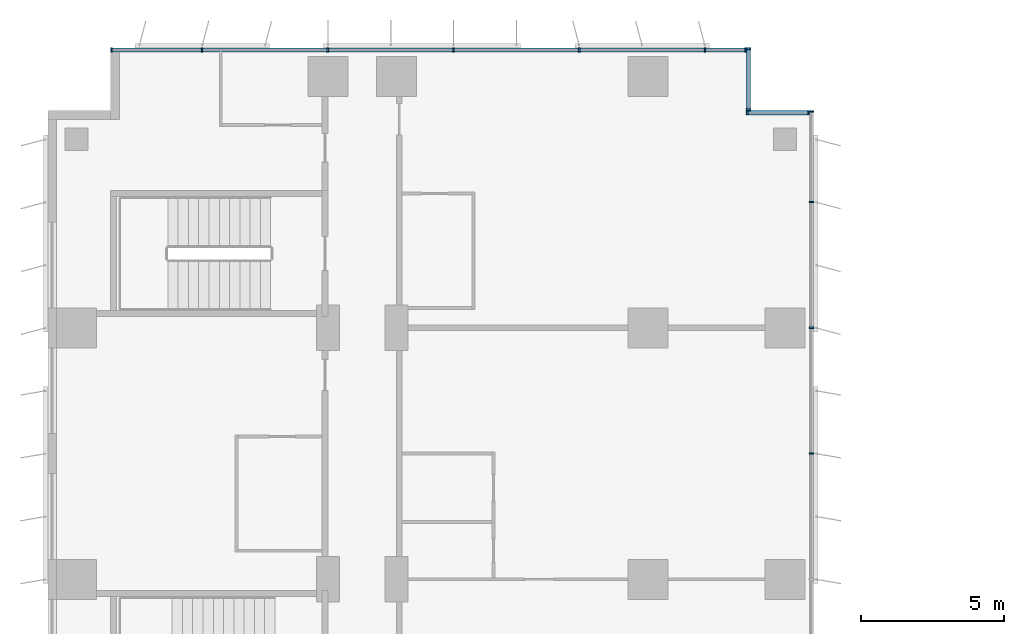
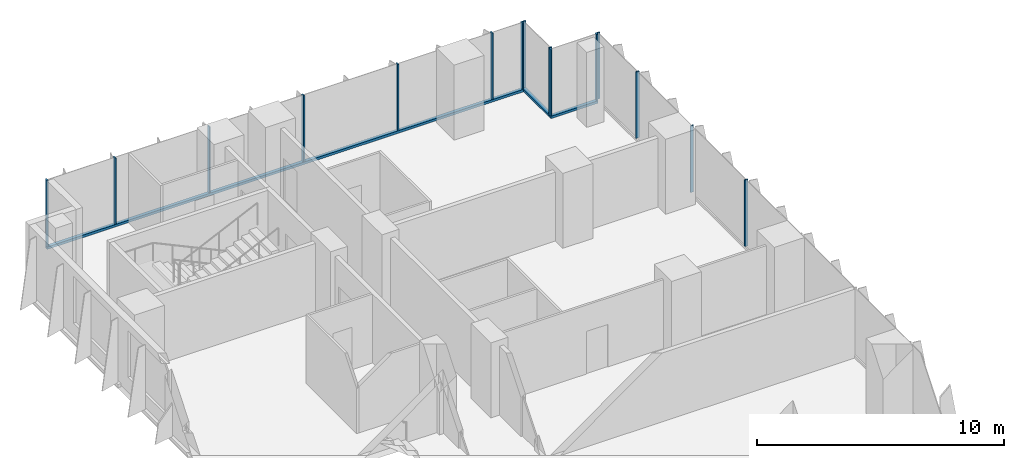
# One storey, part 9 of 24: 18 members, 4 elements without a shape of their own.
"""IFC4 building model written with IfcOpenShell, lengths in metres."""

from ifc_helpers import new_model, si_unit, direction, frame, origin, origin_2d, place, context, subcontext, project, spatial, rectangle, extrude, source, transform, mapped, material, material_profile, profile_set, type_object, element, aggregate, save


model = new_model("IFC4")

# Units and contexts
model_context = context("Model", 3, precision=1e-05, world=origin(), true_north=direction((0.0, 1.0)))
body_context = subcontext(model_context, "Body", "Model", "MODEL_VIEW")
ifc_project = project(units=[si_unit("LENGTHUNIT", "METRE"), si_unit("AREAUNIT", "SQUARE_METRE"), si_unit("VOLUMEUNIT", "CUBIC_METRE"), si_unit("PLANEANGLEUNIT", "RADIAN"), si_unit("MASSUNIT", "GRAM", prefix="KILO")], contexts=[model_context])

# Site, building, storey
site_placement = place(None, origin())
site = spatial("IfcSite", under=ifc_project, at=site_placement, CompositionType="ELEMENT")
building_placement = place(site_placement, origin())
building = spatial("IfcBuilding", under=site, at=building_placement, Name="Kemantara Hotel Tower", CompositionType="ELEMENT")
storey_placement = place(building_placement, frame((0.0, 0.0, 41.39990234375)))
storey = spatial("IfcBuildingStorey", under=building, at=storey_placement, Name="L08", CompositionType="ELEMENT", Elevation=41.39990234375)

# Curtain wall, member
ifc_material_1 = material(Name="Low-E tinted double insulated glass 36 mm", Category="glass")
curtain_wall_type = type_object("IfcCurtainWallType", Name="TOWER CURTAIN WALL, FRONT FACES", PredefinedType="USERDEFINED", material=ifc_material_1)
curtain_wall_1_placement = place(storey_placement, origin())
curtain_wall_1 = element("IfcCurtainWall", 1, at=curtain_wall_1_placement, inside=storey, type_object=curtain_wall_type, Name="CW4 L08 T1-R11-1", ObjectType="TOWER CURTAIN WALL, FRONT FACES", PredefinedType="USERDEFINED")
ifc_material_2 = material(Name="Aluminium 6063-T6 bronze anodised", Category="aluminium")
ifc_material_profile_1 = material_profile(ifc_material_2, rectangle(XDim=0.14990234375, YDim=0.1201171875, at=origin_2d()), Name="TOWER CURTAIN WALL, FRONT FACES TRANSOM")
ifc_profile_set_1 = profile_set([ifc_material_profile_1], Name="Aluminium 6063-T6 bronze anodised")
member_type_1 = type_object("IfcMemberType", Name="TOWER CURTAIN WALL, FRONT FACES TRANSOM", PredefinedType="USERDEFINED", material=ifc_profile_set_1)
member_1_placement = place(storey_placement, frame((24.449951171875, 81.125, 0.06005859375), z_axis=(-1.0, 0.0, 0.0), x_axis=(0.0, -1.0, 0.0)))
member_1 = element("IfcMember", 2, at=member_1_placement, type_object=member_type_1, Name="CW4 sill transom T1-R11-1", ObjectType="TRANSOM", PredefinedType="USERDEFINED", context=body_context, shape_type="SweptSolid", body=[
    extrude(rectangle(XDim=0.14990234375, YDim=0.1201171875, at=origin_2d()), origin(), (0.0, 0.0, 1.0), 22.25),
])

curtain_wall_2_placement = place(storey_placement, origin())
curtain_wall_2 = element("IfcCurtainWall", 3, at=curtain_wall_2_placement, inside=storey, type_object=curtain_wall_type, Name="CW4 L08 T1-R09-1", ObjectType="TOWER CURTAIN WALL, FRONT FACES", PredefinedType="USERDEFINED")
member_2_placement = place(storey_placement, frame((26.64990234375, 78.925048828125, 0.06005859375), z_axis=(-1.0, 0.0, 0.0), x_axis=(0.0, -1.0, 0.0)))
member_2 = element("IfcMember", 4, at=member_2_placement, type_object=member_type_1, Name="CW4 sill transom T1-R09-1", ObjectType="TRANSOM", PredefinedType="USERDEFINED", context=body_context, shape_type="SweptSolid", body=[
    extrude(rectangle(XDim=0.14990234375, YDim=0.1201171875, at=origin_2d()), origin(), (0.0, 0.0, 1.0), 2.199951171875),
])

curtain_wall_3_placement = place(storey_placement, origin())
curtain_wall_3 = element("IfcCurtainWall", 5, at=curtain_wall_3_placement, inside=storey, type_object=curtain_wall_type, Name="CW4 L08 T1-R10-1", ObjectType="TOWER CURTAIN WALL, FRONT FACES", PredefinedType="USERDEFINED")
member_3_placement = place(storey_placement, frame((24.52490234375, 79.0, 0.06005859375), z_axis=(0.0, 1.0, 0.0), x_axis=(-1.0, 0.0, 0.0)))
member_3 = element("IfcMember", 6, at=member_3_placement, type_object=member_type_1, Name="CW4 sill transom T1-R10-1", ObjectType="TRANSOM", PredefinedType="USERDEFINED", context=body_context, shape_type="SweptSolid", body=[
    extrude(rectangle(XDim=0.14990234375, YDim=0.1201171875, at=origin_2d()), origin(), (0.0, 0.0, 1.0), 2.199951171875),
])

# Curtain wall, members
curtain_wall_4_placement = place(storey_placement, origin())
curtain_wall_4 = element("IfcCurtainWall", 7, at=curtain_wall_4_placement, inside=storey, type_object=curtain_wall_type, Name="CW4 L08 T1-R08-1", ObjectType="TOWER CURTAIN WALL, FRONT FACES", PredefinedType="USERDEFINED")
ifc_material_profile_2 = material_profile(ifc_material_2, rectangle(XDim=0.14990234375, YDim=0.06005859375, at=origin_2d()), Name="TOWER CURTAIN WALL, FRONT FACES MULLION")
ifc_profile_set_2 = profile_set([ifc_material_profile_2], Name="Aluminium 6063-T6 bronze anodised")
member_type_2 = type_object("IfcMemberType", Name="TOWER CURTAIN WALL, FRONT FACES MULLION", PredefinedType="MULLION", material=ifc_profile_set_2)
shared_shape = source(origin(), body_context, "Body", "SweptSolid", [
    extrude(rectangle(XDim=0.14990234375, YDim=0.06005859375, at=origin_2d()), origin(), (0.0, 0.0, 1.0), 3.280029296875),
])
member_4_placement = place(storey_placement, frame((26.72509765625, 67.0, 0.1201171875), z_axis=(0.0, 0.0, 1.0), x_axis=(-1.0, 0.0, 0.0)))
member_4 = element("IfcMember", 8, at=member_4_placement, type_object=member_type_2, Name="CW4 mullion T1-R08-1.11", PredefinedType="MULLION", context=body_context, shape_type="MappedRepresentation", body=[
    mapped(shared_shape, transform((0.0, 0.0, 0.0))),
])
member_5_placement = place(storey_placement, frame((26.72509765625, 71.39990234375, 0.1201171875), z_axis=(0.0, 0.0, 1.0), x_axis=(-1.0, 0.0, 0.0)))
member_5 = element("IfcMember", 9, at=member_5_placement, type_object=member_type_2, Name="CW4 mullion T1-R08-1.12", PredefinedType="MULLION", context=body_context, shape_type="MappedRepresentation", body=[
    mapped(shared_shape, transform((0.0, 0.0, 0.0))),
])
member_6_placement = place(storey_placement, frame((26.72509765625, 75.800048828125, 0.1201171875), z_axis=(0.0, 0.0, 1.0), x_axis=(-1.0, 0.0, 0.0)))
member_6 = element("IfcMember", 10, at=member_6_placement, type_object=member_type_2, Name="CW4 mullion T1-R08-1.13", PredefinedType="MULLION", context=body_context, shape_type="MappedRepresentation", body=[
    mapped(shared_shape, transform((0.0, 0.0, 0.0))),
])
member_7_placement = place(storey_placement, frame((26.72509765625, 78.969970703125, 0.1201171875), z_axis=(0.0, 0.0, 1.0), x_axis=(-1.0, 0.0, 0.0)))
member_7 = element("IfcMember", 11, at=member_7_placement, type_object=member_type_2, Name="CW4 mullion T1-R08-1.14", PredefinedType="MULLION", context=body_context, shape_type="MappedRepresentation", body=[
    mapped(shared_shape, transform((0.0, 0.0, 0.0))),
])
aggregate(curtain_wall_4, [member_4, member_5, member_6, member_7])

# Member
member_8_placement = place(storey_placement, frame((24.419921875, 81.125, 0.1201171875), z_axis=(0.0, 0.0, 1.0), x_axis=(0.0, -1.0, 0.0)))
member_8 = element("IfcMember", 12, at=member_8_placement, type_object=member_type_2, Name="CW4 mullion T1-R11-1.1", PredefinedType="MULLION", context=body_context, shape_type="MappedRepresentation", body=[
    mapped(shared_shape, transform((0.0, 0.0, 0.0))),
])

member_9_placement = place(storey_placement, frame((23.0, 81.125, 0.1201171875), z_axis=(0.0, 0.0, 1.0), x_axis=(0.0, -1.0, 0.0)))
member_9 = element("IfcMember", 13, at=member_9_placement, type_object=member_type_2, Name="CW4 mullion T1-R11-1.2", PredefinedType="MULLION", context=body_context, shape_type="MappedRepresentation", body=[
    mapped(shared_shape, transform((0.0, 0.0, 0.0))),
])

member_10_placement = place(storey_placement, frame((18.60009765625, 81.125, 0.1201171875), z_axis=(0.0, 0.0, 1.0), x_axis=(0.0, -1.0, 0.0)))
member_10 = element("IfcMember", 14, at=member_10_placement, type_object=member_type_2, Name="CW4 mullion T1-R11-1.3", PredefinedType="MULLION", context=body_context, shape_type="MappedRepresentation", body=[
    mapped(shared_shape, transform((0.0, 0.0, 0.0))),
])

member_11_placement = place(storey_placement, frame((14.199951171875, 81.125, 0.1201171875), z_axis=(0.0, 0.0, 1.0), x_axis=(0.0, -1.0, 0.0)))
member_11 = element("IfcMember", 15, at=member_11_placement, type_object=member_type_2, Name="CW4 mullion T1-R11-1.4", PredefinedType="MULLION", context=body_context, shape_type="MappedRepresentation", body=[
    mapped(shared_shape, transform((0.0, 0.0, 0.0))),
])

member_12_placement = place(storey_placement, frame((9.800048828125, 81.125, 0.1201171875), z_axis=(0.0, 0.0, 1.0), x_axis=(0.0, -1.0, 0.0)))
member_12 = element("IfcMember", 16, at=member_12_placement, type_object=member_type_2, Name="CW4 mullion T1-R11-1.5", PredefinedType="MULLION", context=body_context, shape_type="MappedRepresentation", body=[
    mapped(shared_shape, transform((0.0, 0.0, 0.0))),
])

member_13_placement = place(storey_placement, frame((5.39990234375, 81.125, 0.1201171875), z_axis=(0.0, 0.0, 1.0), x_axis=(0.0, -1.0, 0.0)))
member_13 = element("IfcMember", 17, at=member_13_placement, type_object=member_type_2, Name="CW4 mullion T1-R11-1.6", PredefinedType="MULLION", context=body_context, shape_type="MappedRepresentation", body=[
    mapped(shared_shape, transform((0.0, 0.0, 0.0))),
])

member_14_placement = place(storey_placement, frame((2.22998046875, 81.125, 0.1201171875), z_axis=(0.0, 0.0, 1.0), x_axis=(0.0, -1.0, 0.0)))
member_14 = element("IfcMember", 18, at=member_14_placement, type_object=member_type_2, Name="CW4 mullion T1-R11-1.7", PredefinedType="MULLION", context=body_context, shape_type="MappedRepresentation", body=[
    mapped(shared_shape, transform((0.0, 0.0, 0.0))),
])

aggregate(curtain_wall_1, [member_1, member_8, member_9, member_10, member_11, member_12, member_13, member_14])

member_15_placement = place(storey_placement, frame((26.6201171875, 78.925048828125, 0.1201171875), z_axis=(0.0, 0.0, 1.0), x_axis=(0.0, -1.0, 0.0)))
member_15 = element("IfcMember", 19, at=member_15_placement, type_object=member_type_2, Name="CW4 mullion T1-R09-1.1", PredefinedType="MULLION", context=body_context, shape_type="MappedRepresentation", body=[
    mapped(shared_shape, transform((0.0, 0.0, 0.0))),
])

member_16_placement = place(storey_placement, frame((24.47998046875, 78.925048828125, 0.1201171875), z_axis=(0.0, 0.0, 1.0), x_axis=(0.0, -1.0, 0.0)))
member_16 = element("IfcMember", 20, at=member_16_placement, type_object=member_type_2, Name="CW4 mullion T1-R09-1.2", PredefinedType="MULLION", context=body_context, shape_type="MappedRepresentation", body=[
    mapped(shared_shape, transform((0.0, 0.0, 0.0))),
])

aggregate(curtain_wall_2, [member_2, member_15, member_16])

member_17_placement = place(storey_placement, frame((24.52490234375, 79.030029296875, 0.1201171875), z_axis=(0.0, 0.0, 1.0), x_axis=(-1.0, 0.0, 0.0)))
member_17 = element("IfcMember", 21, at=member_17_placement, type_object=member_type_2, Name="CW4 mullion T1-R10-1.1", PredefinedType="MULLION", context=body_context, shape_type="MappedRepresentation", body=[
    mapped(shared_shape, transform((0.0, 0.0, 0.0))),
])

member_18_placement = place(storey_placement, frame((24.52490234375, 81.169921875, 0.1201171875), z_axis=(0.0, 0.0, 1.0), x_axis=(-1.0, 0.0, 0.0)))
member_18 = element("IfcMember", 22, at=member_18_placement, type_object=member_type_2, Name="CW4 mullion T1-R10-1.2", PredefinedType="MULLION", context=body_context, shape_type="MappedRepresentation", body=[
    mapped(shared_shape, transform((0.0, 0.0, 0.0))),
])

aggregate(curtain_wall_3, [member_3, member_17, member_18])

save(model, "model.ifc")
